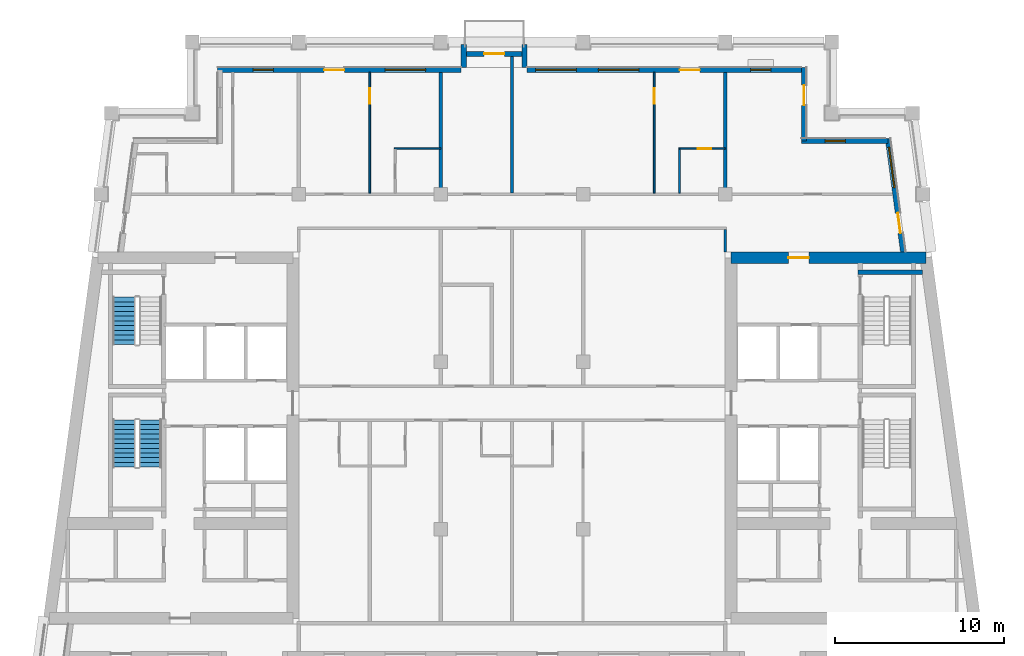
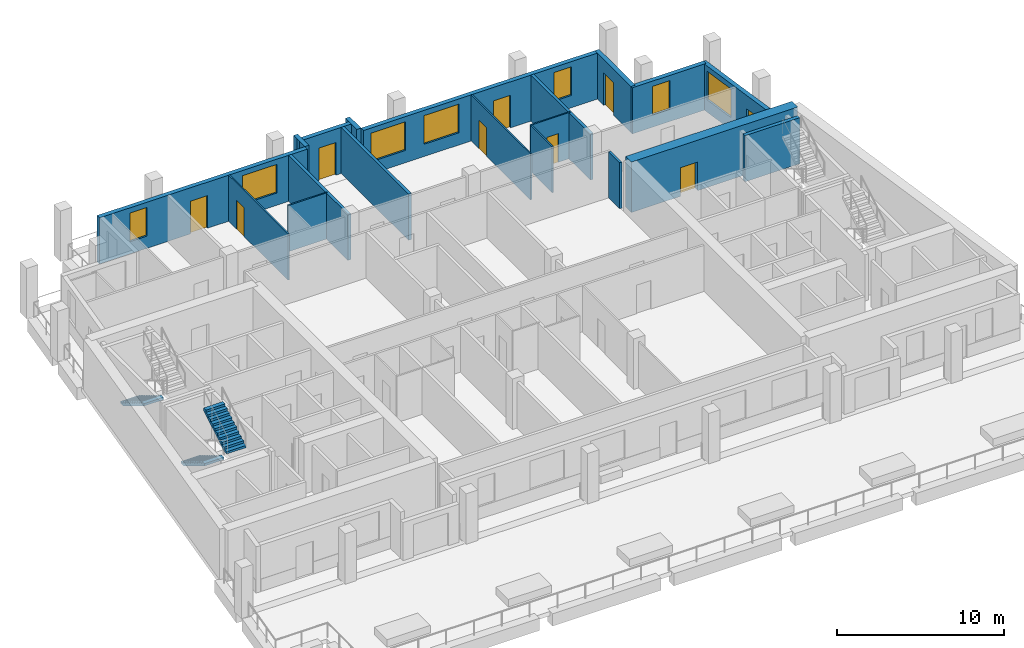
# One storey, part 6 of 12: 19 walls, 9 doors, 7 windows, 3 stair flights, 16 openings, 2 elements without a shape of their own.
"""IFC4 building model written with IfcOpenShell, lengths in metres."""

import ifcopenshell
import ifcopenshell.guid

model = None  # the IFC model being written
_history = None  # IfcOwnerHistory: only IFC2X3 demands one
_inside = {}  # id of a spatial element -> (the spatial element, [elements in it])
_under = {}  # id of a project, library or spatial element -> (it, [spatial elements below it])
_declared = {}  # id of a project -> (the project, [libraries it declares])
_typed = {}  # id of a type object -> (the type object, [elements of that type])
_made_of = {}  # id of a material, layer set ... -> (it, [elements and type objects made of it])


def new_model(schema):
    """Start an empty IFC model of exactly this schema.

    Asked for "IFC4X3", IfcOpenShell would pick the latest addendum, in which some entities
    have other attributes; the version numbers below select the first issue.
    IFC2X3 requires an IfcOwnerHistory on every rooted entity: one is made here for all.
    """
    global model, _history
    if schema == "IFC4X3":
        model = ifcopenshell.file(schema_version=(4, 3, 0, 0))
    else:
        model = ifcopenshell.file(schema=schema)
    _inside.clear()
    _under.clear()
    _declared.clear()
    _typed.clear()
    _made_of.clear()
    _history = None
    if model.schema == "IFC2X3":
        org = make("IfcOrganization", Name="unknown")
        user = make(
            "IfcPersonAndOrganization",
            ThePerson=make("IfcPerson", FamilyName="unknown"),
            TheOrganization=org,
        )
        app = make(
            "IfcApplication",
            ApplicationDeveloper=org,
            Version="unknown",
            ApplicationFullName="unknown",
            ApplicationIdentifier="unknown",
        )
        _history = make(
            "IfcOwnerHistory",
            OwningUser=user,
            OwningApplication=app,
            ChangeAction="ADDED",
            CreationDate=0,
        )
    return model


def make(cls, **values):
    """One entity of the class cls with the attributes given. An attribute that is None is left unset."""
    return model.create_entity(
        cls, **{name: value for name, value in values.items() if value is not None}
    )


def rooted(cls, **values):
    """An entity with a GlobalId (a new one), such as an element, a storey or a relation."""
    return make(cls, GlobalId=ifcopenshell.guid.new(), OwnerHistory=_history, **values)


def si_unit(unit_type, name, prefix=None):
    """IfcSIUnit, for example si_unit("LENGTHUNIT", "METRE", prefix="MILLI")."""
    return make("IfcSIUnit", UnitType=unit_type, Prefix=prefix, Name=name)


def assignment(units):
    """IfcUnitAssignment: the units of a project."""
    return None if units is None else make("IfcUnitAssignment", Units=units)


def point(xyz):
    """IfcCartesianPoint."""
    return None if xyz is None else make("IfcCartesianPoint", Coordinates=xyz)


def direction(xyz):
    """IfcDirection."""
    return None if xyz is None else make("IfcDirection", DirectionRatios=xyz)


def frame(location, z_axis=None, x_axis=None):
    """IfcAxis2Placement3D, a coordinate frame: its origin and axes. An axis left out is left unset."""
    return make(
        "IfcAxis2Placement3D",
        Location=point(location),
        Axis=direction(z_axis),
        RefDirection=direction(x_axis),
    )


def frame_2d(location, x_axis=None):
    """IfcAxis2Placement2D, a coordinate frame in the plane: its origin and x axis."""
    return make(
        "IfcAxis2Placement2D", Location=point(location), RefDirection=direction(x_axis)
    )


def origin():
    """The frame at (0, 0, 0) with its axes left unset."""
    return frame((0.0, 0.0, 0.0))


def place(relative_to, where):
    """IfcLocalPlacement: puts the frame where relative to a parent placement (None: the world)."""
    return make(
        "IfcLocalPlacement", PlacementRelTo=relative_to, RelativePlacement=where
    )


def context(
    kind, dimensions, precision=None, world=None, true_north=None, identifier=None
):
    """IfcGeometricRepresentationContext, for example the 3D "Model" context."""
    return make(
        "IfcGeometricRepresentationContext",
        ContextIdentifier=identifier,
        ContextType=kind,
        CoordinateSpaceDimension=dimensions,
        Precision=precision,
        WorldCoordinateSystem=world,
        TrueNorth=true_north,
    )


def subcontext(parent, identifier, kind, view, scale=None):
    """IfcGeometricRepresentationSubContext, for example "Body" below "Model"."""
    return make(
        "IfcGeometricRepresentationSubContext",
        ContextIdentifier=identifier,
        ContextType=kind,
        ParentContext=parent,
        TargetScale=scale,
        TargetView=view,
    )


def project(units=None, contexts=None):
    """IfcProject with its units and contexts."""
    return rooted(
        "IfcProject",
        Name="project",
        RepresentationContexts=contexts,
        UnitsInContext=assignment(units),
    )


def spatial(cls, under=None, at=None, **own):
    """A site, building, storey or space (cls), placed at a placement, below another one or the project."""
    s = rooted(cls, ObjectPlacement=at, **own)
    if under is not None:
        _under.setdefault(under.id(), (under, []))[1].append(s)
    return s


def polyline(points):
    """IfcPolyline through the points."""
    return make("IfcPolyline", Points=[point(p) for p in points])


def profile(cls, at=None, kind="AREA", **sizes):
    """A parametric profile (cls). Its sizes go by their IFC names, for example OverallWidth=200.0."""
    return make(cls, ProfileType=kind, Position=at, **sizes)


def rectangle(**sizes):
    """IfcRectangleProfileDef."""
    return profile("IfcRectangleProfileDef", **sizes)


def outline(outer, holes=None, kind="AREA"):
    """IfcArbitraryClosedProfileDef: a profile drawn as a closed curve; with holes, ...WithVoids."""
    if holes is None:
        return make("IfcArbitraryClosedProfileDef", ProfileType=kind, OuterCurve=outer)
    return make(
        "IfcArbitraryProfileDefWithVoids",
        ProfileType=kind,
        OuterCurve=outer,
        InnerCurves=holes,
    )


def extrude(swept, where, along, depth):
    """IfcExtrudedAreaSolid: the profile swept, set in the frame where, extruded along a direction by depth."""
    return make(
        "IfcExtrudedAreaSolid",
        SweptArea=swept,
        Position=where,
        ExtrudedDirection=direction(along),
        Depth=depth,
    )


def shape(context_of_items, identifier, shape_type, items):
    """IfcShapeRepresentation: the items that make up one representation, for example the "Body"."""
    return make(
        "IfcShapeRepresentation",
        ContextOfItems=context_of_items,
        RepresentationIdentifier=identifier,
        RepresentationType=shape_type,
        Items=items,
    )


def material(Name=None, Category=None):
    """IfcMaterial."""
    return make("IfcMaterial", Name=Name, Category=Category)


def layer(
    of_material, thickness, ventilated=None, Name=None, Category=None, Priority=None
):
    """IfcMaterialLayer: one layer of a wall or slab, of a material (None: an air gap)."""
    return make(
        "IfcMaterialLayer",
        Material=of_material,
        LayerThickness=thickness,
        IsVentilated=ventilated,
        Name=Name,
        Category=Category,
        Priority=Priority,
    )


def layer_set(layers, Name=None):
    """IfcMaterialLayerSet."""
    return make("IfcMaterialLayerSet", MaterialLayers=layers, LayerSetName=Name)


def made_of(thing, what):
    """Note that an element or type object is made of a material, layer set ...; save() writes the relation."""
    if what is not None:
        _made_of.setdefault(what.id(), (what, []))[1].append(thing)
    return thing


def type_object(cls, material=None, **own):
    """A type object (cls), such as IfcWallType, which elements share."""
    return made_of(rooted(cls, **own), material)


def element(
    cls,
    number,
    at=None,
    inside=None,
    cuts=None,
    type_object=None,
    material=None,
    context=None,
    identifier="Body",
    shape_type=None,
    held_by="IfcProductDefinitionShape",
    body=None,
    shapes=None,
    **own,
):
    """One element of the class cls, such as IfcWall. Its Tag is "e" and its number.

    at: its placement. inside: the storey or other place that contains it. cuts: it is an
    opening in that element (IfcRelVoidsElement). A single representation is given by context,
    identifier, shape_type and body (its items); several are given by shapes. held_by: the class
    of the entity that holds the representations. save() writes the other relations.
    """
    e = rooted(cls, Tag="e%d" % number, ObjectPlacement=at, **own)
    if body is not None:
        shapes = [shape(context, identifier, shape_type, body)]
    if shapes is not None:
        e.Representation = make(held_by, Representations=shapes)
    if inside is not None:
        _inside.setdefault(inside.id(), (inside, []))[1].append(e)
    if cuts is not None:
        rooted(
            "IfcRelVoidsElement", RelatingBuildingElement=cuts, RelatedOpeningElement=e
        )
    if type_object is not None:
        _typed.setdefault(type_object.id(), (type_object, []))[1].append(e)
    return made_of(e, material)


def fill(opening, filler):
    """IfcRelFillsElement: the door or window that sits in an opening."""
    return rooted(
        "IfcRelFillsElement",
        RelatingOpeningElement=opening,
        RelatedBuildingElement=filler,
    )


def aggregate(whole, parts):
    """IfcRelAggregates: a whole, such as a stair, and the parts it consists of."""
    return rooted("IfcRelAggregates", RelatingObject=whole, RelatedObjects=parts)


def save(model, path):
    """Write the relations noted so far, then the file.

    IfcRelAggregates (storeys below a building ...), IfcRelContainedInSpatialStructure (elements
    in a storey), IfcRelDefinesByType, IfcRelAssociatesMaterial and IfcRelDeclares: one each for
    every whole, place, type object, material and project.
    """
    for whole, parts in _under.values():
        aggregate(whole, parts)
    for where, things in _inside.values():
        rooted(
            "IfcRelContainedInSpatialStructure",
            RelatedElements=things,
            RelatingStructure=where,
        )
    for kind, things in _typed.values():
        rooted("IfcRelDefinesByType", RelatedObjects=things, RelatingType=kind)
    for what, things in _made_of.values():
        rooted("IfcRelAssociatesMaterial", RelatedObjects=things, RelatingMaterial=what)
    for by, libraries in _declared.values():
        rooted("IfcRelDeclares", RelatingContext=by, RelatedDefinitions=libraries)
    model.write(path)


model = new_model("IFC4")

# Units and contexts
model_context = context("Model", 3, precision=1e-05, world=origin(), true_north=direction((0.0, 1.0)))
body_context = subcontext(model_context, "Body", "Model", "MODEL_VIEW")
ifc_project = project(units=[si_unit("LENGTHUNIT", "METRE"), si_unit("AREAUNIT", "SQUARE_METRE"), si_unit("VOLUMEUNIT", "CUBIC_METRE"), si_unit("PLANEANGLEUNIT", "RADIAN"), si_unit("MASSUNIT", "GRAM", prefix="KILO")], contexts=[model_context])

# Site, building, storey
site_placement = place(None, origin())
site = spatial("IfcSite", under=ifc_project, at=site_placement, CompositionType="ELEMENT")
building_placement = place(site_placement, origin())
building = spatial("IfcBuilding", under=site, at=building_placement, Name="Candeia Pilgrim Tower and Theatre", CompositionType="ELEMENT")
storey_placement = place(building_placement, frame((0.0, 0.0, 259.0)))
storey = spatial("IfcBuildingStorey", under=building, at=storey_placement, Name="L62", CompositionType="ELEMENT", Elevation=259.0)

# Wall, opening, door
ifc_material_1 = material(Name="Concrete C40/50", Category="concrete")
ifc_layer_1 = layer(ifc_material_1, 0.699951171875)
ifc_layer_set_1 = layer_set([ifc_layer_1], Name="Core wall 700 C40/50")
wall_type_1 = type_object("IfcWallType", Name="Core wall 700 C40/50", PredefinedType="SHEAR", material=ifc_layer_set_1)
wall_1_placement = place(storey_placement, frame((126.35009765625, 132.050048828125, 0.0), z_axis=(0.0, 0.0, 1.0), x_axis=(1.0, 0.0, 0.0)))
wall_1 = element("IfcWall", 1, at=wall_1_placement, inside=storey, type_object=wall_type_1, Name="Core wall E1", PredefinedType="SHEAR", context=body_context, shape_type="SweptSolid", body=[
    extrude(rectangle(XDim=11.51318359375, YDim=0.699951171875, at=frame_2d((5.756591796875, 0.0))), origin(), (0.0, 0.0, 1.0), 3.699951171875),
])
opening_1_placement = place(wall_1_placement, frame((3.386474609375, 0.0, 0.0)))
opening_1 = element("IfcOpeningElement", 2, at=opening_1_placement, cuts=wall_1, Name="Opening L62-D046", PredefinedType="OPENING", context=body_context, shape_type="SweptSolid", body=[
    extrude(rectangle(XDim=1.199951171875, YDim=2.10009765625, at=frame_2d((0.60009765625, 1.050048828125))), frame((0.0, 0.35986328125, 0.0), z_axis=(0.0, -1.0, 0.0), x_axis=(1.0, 0.0, 0.0)), (0.0, 0.0, 1.0), 0.719970703125),
])
ifc_material_2 = material(Name="Steel fire door set", Category="steel")
door_type_1 = type_object("IfcDoorType", Name="D-1200-FD60", OperationType="NOTDEFINED", PredefinedType="DOOR", material=ifc_material_2)
door_1_placement = place(opening_1_placement, origin())
door_1 = element("IfcDoor", 3, at=door_1_placement, inside=storey, type_object=door_type_1, Name="Door L62-D046", OperationType="SINGLE_SWING_RIGHT", OverallHeight=2.10009765625, OverallWidth=1.199951171875, PredefinedType="DOOR", context=body_context, shape_type="SweptSolid", body=[
    extrude(rectangle(XDim=1.199951171875, YDim=2.10009765625, at=frame_2d((0.60009765625, 1.050048828125))), frame((0.0, 0.02490234375, 0.0), z_axis=(0.0, -1.0, 0.0), x_axis=(1.0, 0.0, 0.0)), (0.0, 0.0, 1.0), 0.050048828125),
])
fill(opening_1, door_1)

# Wall, openings, door, window
ifc_material_3 = material(Name="Ceramic block masonry", Category="masonry")
ifc_layer_2 = layer(ifc_material_3, 0.300048828125)
ifc_layer_set_2 = layer_set([ifc_layer_2], Name="EW1 glazing-line wall 300")
wall_type_2 = type_object("IfcWallType", Name="EW1 glazing-line wall 300", PredefinedType="SOLIDWALL", material=ifc_layer_set_2)
wall_2_placement = place(storey_placement, frame((136.50439453125, 132.39990234375, 0.0), z_axis=(0.0, 0.0, 1.0), x_axis=(-0.133399697462, 0.99106231929, 0.0)))
wall_2 = element("IfcWall", 4, at=wall_2_placement, inside=storey, type_object=wall_type_2, Name="External wall L62-2.1", PredefinedType="SOLIDWALL", context=body_context, shape_type="SweptSolid", body=[
    extrude(rectangle(XDim=6.740478515625, YDim=0.300048828125, at=frame_2d((3.3701171875, 0.0))), origin(), (0.0, 0.0, 1.0), 3.3798828125),
])
opening_2_placement = place(wall_2_placement, frame((1.115234375, 0.0, 0.0)))
opening_2 = element("IfcOpeningElement", 5, at=opening_2_placement, cuts=wall_2, Name="Opening L62-ED591", PredefinedType="OPENING", context=body_context, shape_type="SweptSolid", body=[
    extrude(rectangle(XDim=1.199951171875, YDim=2.39990234375, at=frame_2d((0.60009765625, 1.199951171875))), frame((0.0, 0.16015625, 0.0), z_axis=(0.0, -1.0, 0.0), x_axis=(1.0, 0.0, 0.0)), (0.0, 0.0, 1.0), 0.320068359375),
])
opening_3_placement = place(wall_2_placement, frame((3.83544921875, 0.0, 0.89990234375)))
opening_3 = element("IfcOpeningElement", 6, at=opening_3_placement, cuts=wall_2, Name="Opening W-A", PredefinedType="OPENING", context=body_context, shape_type="SweptSolid", body=[
    extrude(rectangle(XDim=2.39990234375, YDim=2.10009765625, at=frame_2d((1.199951171875, 1.050048828125))), frame((0.0, 0.16015625, 0.0), z_axis=(0.0, -1.0, 0.0), x_axis=(1.0, 0.0, 0.0)), (0.0, 0.0, 1.0), 0.320068359375),
])
ifc_material_4 = material(Name="Aluminium framed glazed door", Category="aluminium")
door_type_2 = type_object("IfcDoorType", Name="Loggia door 1200x2400", OperationType="DOUBLE_DOOR_SINGLE_SWING", PredefinedType="DOOR", material=ifc_material_4)
door_2_placement = place(opening_2_placement, origin())
door_2 = element("IfcDoor", 7, at=door_2_placement, inside=storey, type_object=door_type_2, Name="Loggia door L62-ED591", OperationType="DOUBLE_DOOR_SINGLE_SWING", OverallHeight=2.39990234375, OverallWidth=1.199951171875, PredefinedType="DOOR", context=body_context, shape_type="SweptSolid", body=[
    extrude(rectangle(XDim=1.199951171875, YDim=2.39990234375, at=frame_2d((0.60009765625, 1.199951171875))), frame((0.0, 0.02490234375, 0.0), z_axis=(0.0, -1.0, 0.0), x_axis=(1.0, 0.0, 0.0)), (0.0, 0.0, 1.0), 0.050048828125),
])
fill(opening_2, door_2)
ifc_material_5 = material(Name="Aluminium framed double glazing", Category="aluminium")
window_type_1 = type_object("IfcWindowType", Name="W-A window 2400x2100", PartitioningType="DOUBLE_PANEL_VERTICAL", PredefinedType="WINDOW", material=ifc_material_5)
window_1_placement = place(opening_3_placement, origin())
window_1 = element("IfcWindow", 8, at=window_1_placement, inside=storey, type_object=window_type_1, Name="Window W-A L62", OverallHeight=2.10009765625, OverallWidth=2.39990234375, PartitioningType="SINGLE_PANEL", PredefinedType="WINDOW", context=body_context, shape_type="SweptSolid", body=[
    extrude(rectangle(XDim=2.39990234375, YDim=2.10009765625, at=frame_2d((1.199951171875, 1.050048828125))), frame((0.0, 0.030029296875, 0.0), z_axis=(0.0, -1.0, 0.0), x_axis=(1.0, 0.0, 0.0)), (0.0, 0.0, 1.0), 0.06005859375),
])
fill(opening_3, window_1)

# Wall, opening, window
wall_3_placement = place(storey_placement, frame((135.62255859375, 138.949951171875, 0.0), z_axis=(0.0, 0.0, 1.0), x_axis=(-1.0, 0.0, 0.0)))
wall_3 = element("IfcWall", 9, at=wall_3_placement, inside=storey, type_object=wall_type_2, Name="External wall L62-3.0", PredefinedType="SOLIDWALL", context=body_context, shape_type="SweptSolid", body=[
    extrude(rectangle(XDim=5.12255859375, YDim=0.300048828125, at=frame_2d((2.561279296875, 0.0))), origin(), (0.0, 0.0, 1.0), 3.3798828125),
])
opening_4_placement = place(wall_3_placement, frame((2.522705078125, 0.0, 0.89990234375)))
opening_4 = element("IfcOpeningElement", 10, at=opening_4_placement, cuts=wall_3, Name="Opening W-B", PredefinedType="OPENING", context=body_context, shape_type="SweptSolid", body=[
    extrude(rectangle(XDim=1.199951171875, YDim=2.10009765625, at=frame_2d((0.60009765625, 1.050048828125))), frame((0.0, 0.16015625, 0.0), z_axis=(0.0, -1.0, 0.0), x_axis=(1.0, 0.0, 0.0)), (0.0, 0.0, 1.0), 0.320068359375),
])
window_type_2 = type_object("IfcWindowType", Name="W-B window 1200x2100", PartitioningType="SINGLE_PANEL", PredefinedType="WINDOW", material=ifc_material_5)
window_2_placement = place(opening_4_placement, origin())
window_2 = element("IfcWindow", 11, at=window_2_placement, inside=storey, type_object=window_type_2, Name="Window W-B L62", OverallHeight=2.10009765625, OverallWidth=1.199951171875, PartitioningType="SINGLE_PANEL", PredefinedType="WINDOW", context=body_context, shape_type="SweptSolid", body=[
    extrude(rectangle(XDim=1.199951171875, YDim=2.10009765625, at=frame_2d((0.60009765625, 1.050048828125))), frame((0.0, 0.030029296875, 0.0), z_axis=(0.0, -1.0, 0.0), x_axis=(1.0, 0.0, 0.0)), (0.0, 0.0, 1.0), 0.06005859375),
])
fill(opening_4, window_2)

# Wall, opening, door
wall_4_placement = place(storey_placement, frame((130.64990234375, 138.949951171875, 0.0), z_axis=(0.0, 0.0, 1.0), x_axis=(0.0, 1.0, 0.0)))
wall_4 = element("IfcWall", 12, at=wall_4_placement, inside=storey, type_object=wall_type_2, Name="External wall L62-4.0", PredefinedType="SOLIDWALL", context=body_context, shape_type="SweptSolid", body=[
    extrude(rectangle(XDim=4.35009765625, YDim=0.300048828125, at=frame_2d((2.175048828125, 0.0))), origin(), (0.0, 0.0, 1.0), 3.3798828125),
])
opening_5_placement = place(wall_4_placement, frame((2.10009765625, 0.0, 0.0)))
opening_5 = element("IfcOpeningElement", 13, at=opening_5_placement, cuts=wall_4, Name="Opening L62-ED592", PredefinedType="OPENING", context=body_context, shape_type="SweptSolid", body=[
    extrude(rectangle(XDim=1.199951171875, YDim=2.39990234375, at=frame_2d((0.60009765625, 1.199951171875))), frame((0.0, 0.16015625, 0.0), z_axis=(0.0, -1.0, 0.0), x_axis=(1.0, 0.0, 0.0)), (0.0, 0.0, 1.0), 0.320068359375),
])
door_3_placement = place(opening_5_placement, origin())
door_3 = element("IfcDoor", 14, at=door_3_placement, inside=storey, type_object=door_type_2, Name="Loggia door L62-ED592", OperationType="DOUBLE_DOOR_SINGLE_SWING", OverallHeight=2.39990234375, OverallWidth=1.199951171875, PredefinedType="DOOR", context=body_context, shape_type="SweptSolid", body=[
    extrude(rectangle(XDim=1.199951171875, YDim=2.39990234375, at=frame_2d((0.60009765625, 1.199951171875))), frame((0.0, 0.02490234375, 0.0), z_axis=(0.0, -1.0, 0.0), x_axis=(1.0, 0.0, 0.0)), (0.0, 0.0, 1.0), 0.050048828125),
])
fill(opening_5, door_3)

# Wall, openings, door, windows
wall_5_placement = place(storey_placement, frame((130.64990234375, 143.14990234375, 0.0), z_axis=(0.0, 0.0, 1.0), x_axis=(-1.0, 0.0, 0.0)))
wall_5 = element("IfcWall", 15, at=wall_5_placement, inside=storey, type_object=wall_type_2, Name="External wall L62-5.0", PredefinedType="SOLIDWALL", context=body_context, shape_type="SweptSolid", body=[
    extrude(rectangle(XDim=16.349853515625, YDim=0.300048828125, at=frame_2d((8.1748046875, 0.0))), origin(), (0.0, 0.0, 1.0), 3.3798828125),
])
opening_6_placement = place(wall_5_placement, frame((1.949951171875, 0.0, 0.89990234375)))
opening_6 = element("IfcOpeningElement", 16, at=opening_6_placement, cuts=wall_5, Name="Opening W-B", PredefinedType="OPENING", context=body_context, shape_type="SweptSolid", body=[
    extrude(rectangle(XDim=1.199951171875, YDim=2.10009765625, at=frame_2d((0.60009765625, 1.050048828125))), frame((0.0, 0.16015625, 0.0), z_axis=(0.0, -1.0, 0.0), x_axis=(1.0, 0.0, 0.0)), (0.0, 0.0, 1.0), 0.320068359375),
])
opening_7_placement = place(wall_5_placement, frame((6.14990234375, 0.0, 0.0)))
opening_7 = element("IfcOpeningElement", 17, at=opening_7_placement, cuts=wall_5, Name="Opening L62-ED593", PredefinedType="OPENING", context=body_context, shape_type="SweptSolid", body=[
    extrude(rectangle(XDim=1.199951171875, YDim=2.39990234375, at=frame_2d((0.60009765625, 1.199951171875))), frame((0.0, 0.16015625, 0.0), z_axis=(0.0, -1.0, 0.0), x_axis=(1.0, 0.0, 0.0)), (0.0, 0.0, 1.0), 0.320068359375),
])
opening_8_placement = place(wall_5_placement, frame((9.75, 0.0, 0.89990234375)))
opening_8 = element("IfcOpeningElement", 18, at=opening_8_placement, cuts=wall_5, Name="Opening W-A", PredefinedType="OPENING", context=body_context, shape_type="SweptSolid", body=[
    extrude(rectangle(XDim=2.39990234375, YDim=2.10009765625, at=frame_2d((1.199951171875, 1.050048828125))), frame((0.0, 0.16015625, 0.0), z_axis=(0.0, -1.0, 0.0), x_axis=(1.0, 0.0, 0.0)), (0.0, 0.0, 1.0), 0.320068359375),
])
opening_9_placement = place(wall_5_placement, frame((13.449951171875, 0.0, 0.89990234375)))
opening_9 = element("IfcOpeningElement", 19, at=opening_9_placement, cuts=wall_5, Name="Opening W-A", PredefinedType="OPENING", context=body_context, shape_type="SweptSolid", body=[
    extrude(rectangle(XDim=2.39990234375, YDim=2.10009765625, at=frame_2d((1.199951171875, 1.050048828125))), frame((0.0, 0.16015625, 0.0), z_axis=(0.0, -1.0, 0.0), x_axis=(1.0, 0.0, 0.0)), (0.0, 0.0, 1.0), 0.320068359375),
])
door_4_placement = place(opening_7_placement, origin())
door_4 = element("IfcDoor", 20, at=door_4_placement, inside=storey, type_object=door_type_2, Name="Loggia door L62-ED593", OperationType="DOUBLE_DOOR_SINGLE_SWING", OverallHeight=2.39990234375, OverallWidth=1.199951171875, PredefinedType="DOOR", context=body_context, shape_type="SweptSolid", body=[
    extrude(rectangle(XDim=1.199951171875, YDim=2.39990234375, at=frame_2d((0.60009765625, 1.199951171875))), frame((0.0, 0.02490234375, 0.0), z_axis=(0.0, -1.0, 0.0), x_axis=(1.0, 0.0, 0.0)), (0.0, 0.0, 1.0), 0.050048828125),
])
fill(opening_7, door_4)
window_3_placement = place(opening_8_placement, origin())
window_3 = element("IfcWindow", 21, at=window_3_placement, inside=storey, type_object=window_type_1, Name="Window W-A L62", OverallHeight=2.10009765625, OverallWidth=2.39990234375, PartitioningType="SINGLE_PANEL", PredefinedType="WINDOW", context=body_context, shape_type="SweptSolid", body=[
    extrude(rectangle(XDim=2.39990234375, YDim=2.10009765625, at=frame_2d((1.199951171875, 1.050048828125))), frame((0.0, 0.030029296875, 0.0), z_axis=(0.0, -1.0, 0.0), x_axis=(1.0, 0.0, 0.0)), (0.0, 0.0, 1.0), 0.06005859375),
])
fill(opening_8, window_3)
window_4_placement = place(opening_9_placement, origin())
window_4 = element("IfcWindow", 22, at=window_4_placement, inside=storey, type_object=window_type_1, Name="Window W-A L62", OverallHeight=2.10009765625, OverallWidth=2.39990234375, PartitioningType="SINGLE_PANEL", PredefinedType="WINDOW", context=body_context, shape_type="SweptSolid", body=[
    extrude(rectangle(XDim=2.39990234375, YDim=2.10009765625, at=frame_2d((1.199951171875, 1.050048828125))), frame((0.0, 0.030029296875, 0.0), z_axis=(0.0, -1.0, 0.0), x_axis=(1.0, 0.0, 0.0)), (0.0, 0.0, 1.0), 0.06005859375),
])
fill(opening_9, window_4)
window_5_placement = place(opening_6_placement, origin())
window_5 = element("IfcWindow", 23, at=window_5_placement, inside=storey, type_object=window_type_2, Name="Window W-B L62", OverallHeight=2.10009765625, OverallWidth=1.199951171875, PartitioningType="SINGLE_PANEL", PredefinedType="WINDOW", context=body_context, shape_type="SweptSolid", body=[
    extrude(rectangle(XDim=1.199951171875, YDim=2.10009765625, at=frame_2d((0.60009765625, 1.050048828125))), frame((0.0, 0.030029296875, 0.0), z_axis=(0.0, -1.0, 0.0), x_axis=(1.0, 0.0, 0.0)), (0.0, 0.0, 1.0), 0.06005859375),
])
fill(opening_6, window_5)

wall_6_placement = place(storey_placement, frame((110.39990234375, 143.14990234375, 0.0), z_axis=(0.0, 0.0, 1.0), x_axis=(-1.0, 0.0, 0.0)))
wall_6 = element("IfcWall", 24, at=wall_6_placement, inside=storey, type_object=wall_type_2, Name="External wall L62-5.1", PredefinedType="SOLIDWALL", context=body_context, shape_type="SweptSolid", body=[
    extrude(rectangle(XDim=14.39990234375, YDim=0.300048828125, at=frame_2d((7.199951171875, 0.0))), origin(), (0.0, 0.0, 1.0), 3.3798828125),
])
opening_10_placement = place(wall_6_placement, frame((2.10009765625, 0.0, 0.89990234375)))
opening_10 = element("IfcOpeningElement", 25, at=opening_10_placement, cuts=wall_6, Name="Opening W-A", PredefinedType="OPENING", context=body_context, shape_type="SweptSolid", body=[
    extrude(rectangle(XDim=2.39990234375, YDim=2.10009765625, at=frame_2d((1.199951171875, 1.050048828125))), frame((0.0, 0.16015625, 0.0), z_axis=(0.0, -1.0, 0.0), x_axis=(1.0, 0.0, 0.0)), (0.0, 0.0, 1.0), 0.320068359375),
])
opening_11_placement = place(wall_6_placement, frame((6.89990234375, 0.0, 0.0)))
opening_11 = element("IfcOpeningElement", 26, at=opening_11_placement, cuts=wall_6, Name="Opening L62-ED594", PredefinedType="OPENING", context=body_context, shape_type="SweptSolid", body=[
    extrude(rectangle(XDim=1.199951171875, YDim=2.39990234375, at=frame_2d((0.60009765625, 1.199951171875))), frame((0.0, 0.16015625, 0.0), z_axis=(0.0, -1.0, 0.0), x_axis=(1.0, 0.0, 0.0)), (0.0, 0.0, 1.0), 0.320068359375),
])
opening_12_placement = place(wall_6_placement, frame((11.10009765625, 0.0, 0.89990234375)))
opening_12 = element("IfcOpeningElement", 27, at=opening_12_placement, cuts=wall_6, Name="Opening W-B", PredefinedType="OPENING", context=body_context, shape_type="SweptSolid", body=[
    extrude(rectangle(XDim=1.199951171875, YDim=2.10009765625, at=frame_2d((0.60009765625, 1.050048828125))), frame((0.0, 0.16015625, 0.0), z_axis=(0.0, -1.0, 0.0), x_axis=(1.0, 0.0, 0.0)), (0.0, 0.0, 1.0), 0.320068359375),
])
door_5_placement = place(opening_11_placement, origin())
door_5 = element("IfcDoor", 28, at=door_5_placement, inside=storey, type_object=door_type_2, Name="Loggia door L62-ED594", OperationType="DOUBLE_DOOR_SINGLE_SWING", OverallHeight=2.39990234375, OverallWidth=1.199951171875, PredefinedType="DOOR", context=body_context, shape_type="SweptSolid", body=[
    extrude(rectangle(XDim=1.199951171875, YDim=2.39990234375, at=frame_2d((0.60009765625, 1.199951171875))), frame((0.0, 0.02490234375, 0.0), z_axis=(0.0, -1.0, 0.0), x_axis=(1.0, 0.0, 0.0)), (0.0, 0.0, 1.0), 0.050048828125),
])
fill(opening_11, door_5)
window_6_placement = place(opening_10_placement, origin())
window_6 = element("IfcWindow", 29, at=window_6_placement, inside=storey, type_object=window_type_1, Name="Window W-A L62", OverallHeight=2.10009765625, OverallWidth=2.39990234375, PartitioningType="SINGLE_PANEL", PredefinedType="WINDOW", context=body_context, shape_type="SweptSolid", body=[
    extrude(rectangle(XDim=2.39990234375, YDim=2.10009765625, at=frame_2d((1.199951171875, 1.050048828125))), frame((0.0, 0.030029296875, 0.0), z_axis=(0.0, -1.0, 0.0), x_axis=(1.0, 0.0, 0.0)), (0.0, 0.0, 1.0), 0.06005859375),
])
fill(opening_10, window_6)
window_7_placement = place(opening_12_placement, origin())
window_7 = element("IfcWindow", 30, at=window_7_placement, inside=storey, type_object=window_type_2, Name="Window W-B L62", OverallHeight=2.10009765625, OverallWidth=1.199951171875, PartitioningType="SINGLE_PANEL", PredefinedType="WINDOW", context=body_context, shape_type="SweptSolid", body=[
    extrude(rectangle(XDim=1.199951171875, YDim=2.10009765625, at=frame_2d((0.60009765625, 1.050048828125))), frame((0.0, 0.030029296875, 0.0), z_axis=(0.0, -1.0, 0.0), x_axis=(1.0, 0.0, 0.0)), (0.0, 0.0, 1.0), 0.06005859375),
])
fill(opening_12, window_7)

# Walls
ifc_layer_3 = layer(ifc_material_3, 0.300048828125)
ifc_layer_set_3 = layer_set([ifc_layer_3], Name="EW2 entrance infill wall 300")
wall_type_3 = type_object("IfcWallType", Name="EW2 entrance infill wall 300", PredefinedType="SOLIDWALL", material=ifc_layer_set_3)
for number, where, z_axis, x_axis, name in (
    (31, (114.14990234375, 143.300048828125, 0.0), (0.0, 0.0, 1.0), (0.0, 1.0, 0.0), "Alcove wall L62"),
    (32, (110.550048828125, 143.300048828125, 0.0), (0.0, 0.0, 1.0), (0.0, 1.0, 0.0), "Alcove wall L62"),
):
    element("IfcWall", number, at=place(storey_placement, frame(where, z_axis=z_axis, x_axis=x_axis)), inside=storey, type_object=wall_type_3, Name=name, PredefinedType="SOLIDWALL", context=body_context, shape_type="SweptSolid", body=[
        extrude(rectangle(XDim=1.349853515625, YDim=0.300048828125, at=frame_2d((0.6748046875, 0.0))), origin(), (0.0, 0.0, 1.0), 3.3798828125),
    ])

# Wall, opening, door
wall_7_placement = place(storey_placement, frame((114.300048828125, 144.10009765625, 0.0), z_axis=(0.0, 0.0, 1.0), x_axis=(-1.0, 0.0, 0.0)))
wall_7 = element("IfcWall", 33, at=wall_7_placement, inside=storey, type_object=wall_type_3, Name="Alcove wall L62", PredefinedType="SOLIDWALL", context=body_context, shape_type="SweptSolid", body=[
    extrude(rectangle(XDim=3.900146484375, YDim=0.300048828125, at=frame_2d((1.9501953125, 0.0))), origin(), (0.0, 0.0, 1.0), 3.3798828125),
])
opening_13_placement = place(wall_7_placement, frame((1.35009765625, 0.0, 0.0)))
opening_13 = element("IfcOpeningElement", 34, at=opening_13_placement, cuts=wall_7, Name="Opening L62-ED595", PredefinedType="OPENING", context=body_context, shape_type="SweptSolid", body=[
    extrude(rectangle(XDim=1.199951171875, YDim=2.39990234375, at=frame_2d((0.60009765625, 1.199951171875))), frame((0.0, 0.16015625, 0.0), z_axis=(0.0, -1.0, 0.0), x_axis=(1.0, 0.0, 0.0)), (0.0, 0.0, 1.0), 0.320068359375),
])
door_6_placement = place(opening_13_placement, origin())
door_6 = element("IfcDoor", 35, at=door_6_placement, inside=storey, type_object=door_type_2, Name="Balcony door L62-ED595", OperationType="DOUBLE_DOOR_SINGLE_SWING", OverallHeight=2.39990234375, OverallWidth=1.199951171875, PredefinedType="DOOR", context=body_context, shape_type="SweptSolid", body=[
    extrude(rectangle(XDim=1.199951171875, YDim=2.39990234375, at=frame_2d((0.60009765625, 1.199951171875))), frame((0.0, 0.02490234375, 0.0), z_axis=(0.0, -1.0, 0.0), x_axis=(1.0, 0.0, 0.0)), (0.0, 0.0, 1.0), 0.050048828125),
])
fill(opening_13, door_6)

# Wall
ifc_material_6 = material(Name="Gypsum board partition on steel studs", Category="steel")
ifc_layer_4 = layer(ifc_material_6, 0.10009765625)
ifc_layer_set_4 = layer_set([ifc_layer_4], Name="PW-100 room partition")
wall_type_4 = type_object("IfcWallType", Name="PW-100 room partition", PredefinedType="PARTITIONING", material=ifc_layer_set_4)
wall_8_placement = place(storey_placement, frame((106.449951171875, 138.5, 0.0), z_axis=(0.0, 0.0, 1.0), x_axis=(1.0, 0.0, 0.0)))
element("IfcWall", 36, at=wall_8_placement, inside=storey, type_object=wall_type_4, Name="Room partition L62-039", PredefinedType="PARTITIONING", context=body_context, shape_type="SweptSolid", body=[
    extrude(rectangle(XDim=2.75, YDim=0.10009765625, at=frame_2d((1.375, 0.0))), origin(), (0.0, 0.0, 1.0), 3.3798828125),
])

# Wall, opening, door
wall_9_placement = place(storey_placement, frame((123.25, 138.5, 0.0), z_axis=(0.0, 0.0, 1.0), x_axis=(1.0, 0.0, 0.0)))
wall_9 = element("IfcWall", 37, at=wall_9_placement, inside=storey, type_object=wall_type_4, Name="Room partition L62-040", PredefinedType="PARTITIONING", context=body_context, shape_type="SweptSolid", body=[
    extrude(rectangle(XDim=2.75, YDim=0.10009765625, at=frame_2d((1.375, 0.0))), origin(), (0.0, 0.0, 1.0), 3.3798828125),
])
opening_14_placement = place(wall_9_placement, frame((1.1201171875, 0.0, 0.0)))
opening_14 = element("IfcOpeningElement", 38, at=opening_14_placement, cuts=wall_9, Name="Opening L62-D035", PredefinedType="OPENING", context=body_context, shape_type="SweptSolid", body=[
    extrude(rectangle(XDim=0.800048828125, YDim=2.10009765625, at=frame_2d((0.39990234375, 1.050048828125))), frame((0.0, 0.06005859375, 0.0), z_axis=(0.0, -1.0, 0.0), x_axis=(1.0, 0.0, 0.0)), (0.0, 0.0, 1.0), 0.1201171875),
])
ifc_material_7 = material(Name="Timber door leaf", Category="wood")
door_type_3 = type_object("IfcDoorType", Name="D-800", OperationType="NOTDEFINED", PredefinedType="DOOR", material=ifc_material_7)
door_7_placement = place(opening_14_placement, origin())
door_7 = element("IfcDoor", 39, at=door_7_placement, inside=storey, type_object=door_type_3, Name="Door L62-D035", OperationType="SINGLE_SWING_LEFT", OverallHeight=2.10009765625, OverallWidth=0.800048828125, PredefinedType="DOOR", context=body_context, shape_type="SweptSolid", body=[
    extrude(rectangle(XDim=0.800048828125, YDim=2.10009765625, at=frame_2d((0.39990234375, 1.050048828125))), frame((0.0, 0.02490234375, 0.0), z_axis=(0.0, -1.0, 0.0), x_axis=(1.0, 0.0, 0.0)), (0.0, 0.0, 1.0), 0.050048828125),
])
fill(opening_14, door_7)

wall_10_placement = place(storey_placement, frame((105.0, 135.875, 0.0), z_axis=(0.0, 0.0, 1.0), x_axis=(0.0, 1.0, 0.0)))
wall_10 = element("IfcWall", 40, at=wall_10_placement, inside=storey, type_object=wall_type_4, Name="Room partition L62-063", PredefinedType="PARTITIONING", context=body_context, shape_type="SweptSolid", body=[
    extrude(rectangle(XDim=7.135009765625, YDim=0.10009765625, at=frame_2d((3.5673828125, 0.0))), origin(), (0.0, 0.0, 1.0), 3.3798828125),
])
opening_15_placement = place(wall_10_placement, frame((5.2900390625, 0.0, 0.0)))
opening_15 = element("IfcOpeningElement", 41, at=opening_15_placement, cuts=wall_10, Name="Opening L62-D030", PredefinedType="OPENING", context=body_context, shape_type="SweptSolid", body=[
    extrude(rectangle(XDim=0.89990234375, YDim=2.10009765625, at=frame_2d((0.449951171875, 1.050048828125))), frame((0.0, 0.06005859375, 0.0), z_axis=(0.0, -1.0, 0.0), x_axis=(1.0, 0.0, 0.0)), (0.0, 0.0, 1.0), 0.1201171875),
])
door_type_4 = type_object("IfcDoorType", Name="D-900", OperationType="NOTDEFINED", PredefinedType="DOOR", material=ifc_material_7)
door_8_placement = place(opening_15_placement, origin())
door_8 = element("IfcDoor", 42, at=door_8_placement, inside=storey, type_object=door_type_4, Name="Door L62-D030", OperationType="SINGLE_SWING_RIGHT", OverallHeight=2.10009765625, OverallWidth=0.89990234375, PredefinedType="DOOR", context=body_context, shape_type="SweptSolid", body=[
    extrude(rectangle(XDim=0.89990234375, YDim=2.10009765625, at=frame_2d((0.449951171875, 1.050048828125))), frame((0.0, 0.02490234375, 0.0), z_axis=(0.0, -1.0, 0.0), x_axis=(1.0, 0.0, 0.0)), (0.0, 0.0, 1.0), 0.050048828125),
])
fill(opening_15, door_8)

wall_11_placement = place(storey_placement, frame((121.800048828125, 135.875, 0.0), z_axis=(0.0, 0.0, 1.0), x_axis=(0.0, 1.0, 0.0)))
wall_11 = element("IfcWall", 43, at=wall_11_placement, inside=storey, type_object=wall_type_4, Name="Room partition L62-078", PredefinedType="PARTITIONING", context=body_context, shape_type="SweptSolid", body=[
    extrude(rectangle(XDim=7.135009765625, YDim=0.10009765625, at=frame_2d((3.5673828125, 0.0))), origin(), (0.0, 0.0, 1.0), 3.3798828125),
])
opening_16_placement = place(wall_11_placement, frame((5.2900390625, 0.0, 0.0)))
opening_16 = element("IfcOpeningElement", 44, at=opening_16_placement, cuts=wall_11, Name="Opening L62-D034", PredefinedType="OPENING", context=body_context, shape_type="SweptSolid", body=[
    extrude(rectangle(XDim=0.89990234375, YDim=2.10009765625, at=frame_2d((0.449951171875, 1.050048828125))), frame((0.0, 0.06005859375, 0.0), z_axis=(0.0, -1.0, 0.0), x_axis=(1.0, 0.0, 0.0)), (0.0, 0.0, 1.0), 0.1201171875),
])
door_9_placement = place(opening_16_placement, origin())
door_9 = element("IfcDoor", 45, at=door_9_placement, inside=storey, type_object=door_type_4, Name="Door L62-D034", OperationType="SINGLE_SWING_RIGHT", OverallHeight=2.10009765625, OverallWidth=0.89990234375, PredefinedType="DOOR", context=body_context, shape_type="SweptSolid", body=[
    extrude(rectangle(XDim=0.89990234375, YDim=2.10009765625, at=frame_2d((0.449951171875, 1.050048828125))), frame((0.0, 0.02490234375, 0.0), z_axis=(0.0, -1.0, 0.0), x_axis=(1.0, 0.0, 0.0)), (0.0, 0.0, 1.0), 0.050048828125),
])
fill(opening_16, door_9)

# Walls
wall_12_placement = place(storey_placement, frame((123.300048828125, 135.875, 0.0), z_axis=(0.0, 0.0, 1.0), x_axis=(0.0, 1.0, 0.0)))
element("IfcWall", 46, at=wall_12_placement, inside=storey, type_object=wall_type_4, Name="Room partition L62-079", PredefinedType="PARTITIONING", context=body_context, shape_type="SweptSolid", body=[
    extrude(rectangle(XDim=2.574951171875, YDim=0.10009765625, at=frame_2d((1.28759765625, 0.0))), origin(), (0.0, 0.0, 1.0), 3.3798828125),
])
ifc_layer_5 = layer(ifc_material_6, 0.14990234375)
ifc_layer_set_5 = layer_set([ifc_layer_5], Name="PW-150 unit wall")
wall_type_5 = type_object("IfcWallType", Name="PW-150 unit wall", PredefinedType="PARTITIONING", material=ifc_layer_set_5)
wall_13_placement = place(storey_placement, frame((126.0, 132.39990234375, 0.0), z_axis=(0.0, 0.0, 1.0), x_axis=(0.0, 1.0, 0.0)))
element("IfcWall", 47, at=wall_13_placement, inside=storey, type_object=wall_type_5, Name="Unit wall L62-082", PredefinedType="PARTITIONING", context=body_context, shape_type="SweptSolid", body=[
    extrude(rectangle(XDim=1.3251953125, YDim=0.14990234375, at=frame_2d((0.66259765625, 0.0))), origin(), (0.0, 0.0, 1.0), 3.3798828125),
])
ifc_layer_6 = layer(ifc_material_6, 0.199951171875)
ifc_layer_set_6 = layer_set([ifc_layer_6], Name="PW-200 party wall")
wall_type_6 = type_object("IfcWallType", Name="PW-200 party wall", PredefinedType="PARTITIONING", material=ifc_layer_set_6)
wall_14_placement = place(storey_placement, frame((109.199951171875, 135.875, 0.0), z_axis=(0.0, 0.0, 1.0), x_axis=(0.0, 1.0, 0.0)))
element("IfcWall", 48, at=wall_14_placement, inside=storey, type_object=wall_type_6, Name="Party wall L62-069", PredefinedType="PARTITIONING", context=body_context, shape_type="SweptSolid", body=[
    extrude(rectangle(XDim=7.135009765625, YDim=0.199951171875, at=frame_2d((3.5673828125, 0.0))), origin(), (0.0, 0.0, 1.0), 3.3798828125),
])
wall_15_placement = place(storey_placement, frame((113.39990234375, 135.875, 0.0), z_axis=(0.0, 0.0, 1.0), x_axis=(0.0, 1.0, 0.0)))
element("IfcWall", 49, at=wall_15_placement, inside=storey, type_object=wall_type_6, Name="Party wall L62-074", PredefinedType="PARTITIONING", context=body_context, shape_type="SweptSolid", body=[
    extrude(rectangle(XDim=8.0849609375, YDim=0.199951171875, at=frame_2d((4.04248046875, 0.0))), origin(), (0.0, 0.0, 1.0), 3.3798828125),
])
wall_16_placement = place(storey_placement, frame((126.0, 135.875, 0.0), z_axis=(0.0, 0.0, 1.0), x_axis=(0.0, 1.0, 0.0)))
element("IfcWall", 50, at=wall_16_placement, inside=storey, type_object=wall_type_6, Name="Party wall L62-081", PredefinedType="PARTITIONING", context=body_context, shape_type="SweptSolid", body=[
    extrude(rectangle(XDim=7.135009765625, YDim=0.199951171875, at=frame_2d((3.5673828125, 0.0))), origin(), (0.0, 0.0, 1.0), 3.3798828125),
])
ifc_layer_7 = layer(ifc_material_1, 0.25)
ifc_layer_set_7 = layer_set([ifc_layer_7], Name="SW-250 stair wall")
wall_type_7 = type_object("IfcWallType", Name="SW-250 stair wall", PredefinedType="PARTITIONING", material=ifc_layer_set_7)
wall_17_placement = place(storey_placement, frame((133.847900390625, 131.199951171875, 0.0), z_axis=(0.0, 0.0, 1.0), x_axis=(1.0, 0.0, 0.0)))
element("IfcWall", 51, at=wall_17_placement, inside=storey, type_object=wall_type_7, Name="Stair wall L62-035", PredefinedType="PARTITIONING", context=body_context, shape_type="SweptSolid", body=[
    extrude(rectangle(XDim=3.806640625, YDim=0.25, at=frame_2d((1.9033203125, 0.0))), origin(), (0.0, 0.0, 1.0), 3.3798828125),
])

# Stair, stair flights
stair_type = type_object("IfcStairType", Name="ST-TWR dog-leg escape stair", PredefinedType="HALF_TURN_STAIR", material=ifc_material_1)
stair_1_placement = place(storey_placement, origin())
stair_1 = element("IfcStair", 52, at=stair_1_placement, inside=storey, type_object=stair_type, Name="L62 Escape stair ST1", PredefinedType="HALF_TURN_STAIR")
stair_flight_type = type_object("IfcStairFlightType", Name="SFL-RC stair flight", PredefinedType="STRAIGHT", material=ifc_material_1)
stair_flight_1_placement = place(storey_placement, frame((90.47705078125, 122.47509765625, 0.0), z_axis=(0.0, 0.0, 1.0), x_axis=(0.0, -1.0, 0.0)))
stair_flight_1 = element("IfcStairFlight", 53, at=stair_flight_1_placement, type_object=stair_flight_type, Name="ST1 flight 1", NumberOfRisers=11, NumberOfTreads=10, PredefinedType="STRAIGHT", RiserHeight=0.168181818, TreadLength=0.28, context=body_context, shape_type="SweptSolid", body=[
    extrude(outline(polyline([(0.0, 0.0), (0.0, 0.168212890625), (0.280029296875, 0.168212890625), (0.280029296875, 0.33642578125), (0.56005859375, 0.33642578125), (0.56005859375, 0.504638671875), (0.840087890625, 0.504638671875), (0.840087890625, 0.672607421875), (1.1201171875, 0.672607421875), (1.1201171875, 0.8408203125), (1.39990234375, 0.8408203125), (1.39990234375, 1.009033203125), (1.679931640625, 1.009033203125), (1.679931640625, 1.17724609375), (1.9599609375, 1.17724609375), (1.9599609375, 1.345458984375), (2.239990234375, 1.345458984375), (2.239990234375, 1.513671875), (2.52001953125, 1.513671875), (2.52001953125, 1.681884765625), (2.800048828125, 1.681884765625), (2.800048828125, 1.85009765625), (2.800048828125, 1.5068359375), (0.291015625, 0.0), (0.0, 0.0)])), frame((0.0, 0.675048828125, 0.0), z_axis=(0.0, -1.0, 0.0), x_axis=(1.0, 0.0, 0.0)), (0.0, 0.0, 1.0), 1.35009765625),
])
stair_flight_2_placement = place(storey_placement, frame((92.027099609375, 119.675048828125, 1.85009765625), z_axis=(0.0, 0.0, 1.0), x_axis=(0.0, 1.0, 0.0)))
stair_flight_2 = element("IfcStairFlight", 54, at=stair_flight_2_placement, type_object=stair_flight_type, Name="ST1 flight 2", NumberOfRisers=11, NumberOfTreads=10, PredefinedType="STRAIGHT", RiserHeight=0.168181818, TreadLength=0.28, context=body_context, shape_type="SweptSolid", body=[
    extrude(outline(polyline([(0.0, 0.0), (0.0, 0.168212890625), (0.280029296875, 0.168212890625), (0.280029296875, 0.33642578125), (0.56005859375, 0.33642578125), (0.56005859375, 0.504638671875), (0.840087890625, 0.504638671875), (0.840087890625, 0.672607421875), (1.1201171875, 0.672607421875), (1.1201171875, 0.8408203125), (1.39990234375, 0.8408203125), (1.39990234375, 1.009033203125), (1.679931640625, 1.009033203125), (1.679931640625, 1.17724609375), (1.9599609375, 1.17724609375), (1.9599609375, 1.345458984375), (2.239990234375, 1.345458984375), (2.239990234375, 1.513671875), (2.52001953125, 1.513671875), (2.52001953125, 1.681884765625), (2.800048828125, 1.681884765625), (2.800048828125, 1.85009765625), (2.800048828125, 1.5068359375), (0.291015625, 0.0), (0.0, 0.0)])), frame((0.0, 0.675048828125, 0.0), z_axis=(0.0, -1.0, 0.0), x_axis=(1.0, 0.0, 0.0)), (0.0, 0.0, 1.0), 1.35009765625),
])
aggregate(stair_1, [stair_flight_1, stair_flight_2])

# Stair, stair flight
stair_2_placement = place(storey_placement, origin())
stair_2 = element("IfcStair", 55, at=stair_2_placement, inside=storey, type_object=stair_type, Name="L62 Escape stair ST2", PredefinedType="HALF_TURN_STAIR")
stair_flight_3_placement = place(storey_placement, frame((90.47705078125, 129.72509765625, 0.0), z_axis=(0.0, 0.0, 1.0), x_axis=(0.0, -1.0, 0.0)))
stair_flight_3 = element("IfcStairFlight", 56, at=stair_flight_3_placement, type_object=stair_flight_type, Name="ST2 flight 1", NumberOfRisers=11, NumberOfTreads=10, PredefinedType="STRAIGHT", RiserHeight=0.168181818, TreadLength=0.28, context=body_context, shape_type="SweptSolid", body=[
    extrude(outline(polyline([(0.0, 0.0), (0.0, 0.168212890625), (0.280029296875, 0.168212890625), (0.280029296875, 0.33642578125), (0.56005859375, 0.33642578125), (0.56005859375, 0.504638671875), (0.840087890625, 0.504638671875), (0.840087890625, 0.672607421875), (1.1201171875, 0.672607421875), (1.1201171875, 0.8408203125), (1.39990234375, 0.8408203125), (1.39990234375, 1.009033203125), (1.679931640625, 1.009033203125), (1.679931640625, 1.17724609375), (1.9599609375, 1.17724609375), (1.9599609375, 1.345458984375), (2.239990234375, 1.345458984375), (2.239990234375, 1.513671875), (2.52001953125, 1.513671875), (2.52001953125, 1.681884765625), (2.800048828125, 1.681884765625), (2.800048828125, 1.85009765625), (2.800048828125, 1.5068359375), (0.291015625, 0.0), (0.0, 0.0)])), frame((0.0, 0.675048828125, 0.0), z_axis=(0.0, -1.0, 0.0), x_axis=(1.0, 0.0, 0.0)), (0.0, 0.0, 1.0), 1.35009765625),
])
aggregate(stair_2, [stair_flight_3])

save(model, "model.ifc")
